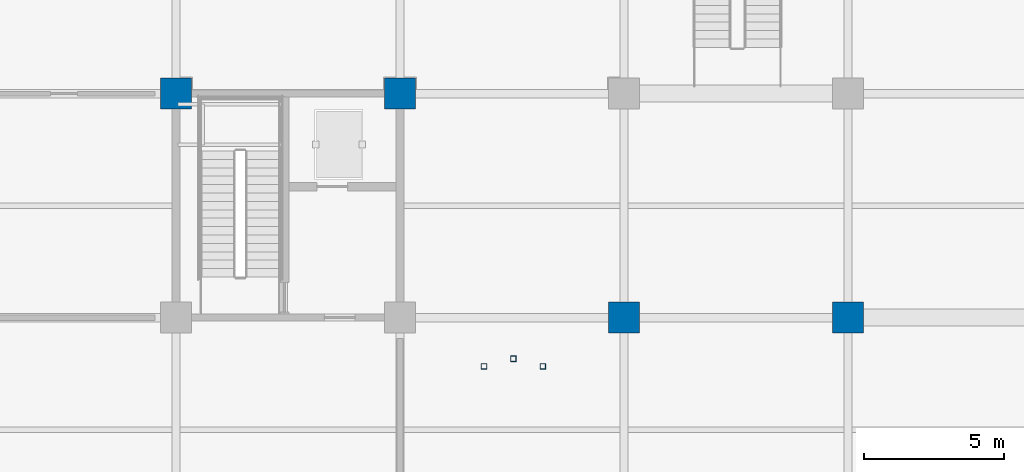
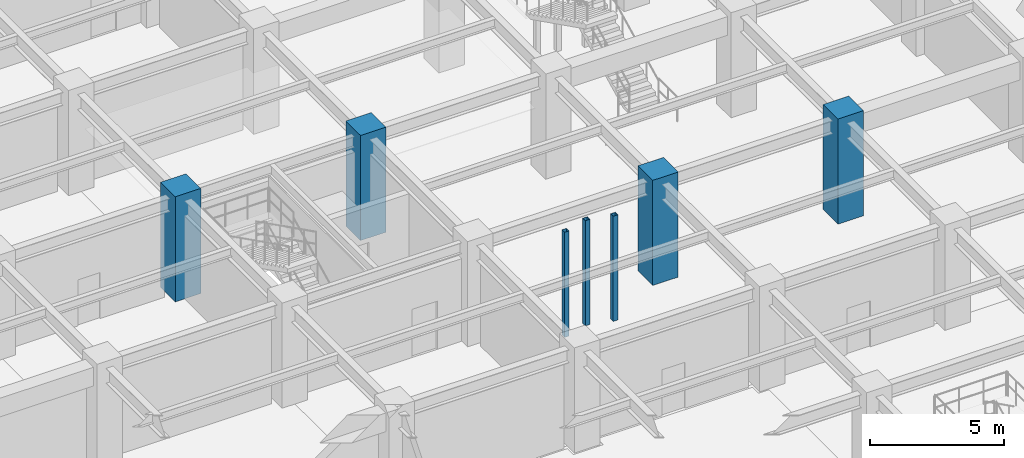
# One storey, part 8 of 125: 7 columns.
"""IFC4 building model written with IfcOpenShell, lengths in metres."""

from ifc_helpers import new_model, si_unit, direction, frame, origin, origin_2d, place, context, subcontext, project, spatial, rectangle, hollow_rectangle, extrude, material, material_profile, profile_set, type_object, element, save


model = new_model("IFC4")

# Units and contexts
model_context = context("Model", 3, precision=1e-05, world=origin(), true_north=direction((0.0, 1.0)))
body_context = subcontext(model_context, "Body", "Model", "MODEL_VIEW")
ifc_project = project(units=[si_unit("LENGTHUNIT", "METRE"), si_unit("AREAUNIT", "SQUARE_METRE"), si_unit("VOLUMEUNIT", "CUBIC_METRE"), si_unit("PLANEANGLEUNIT", "RADIAN"), si_unit("MASSUNIT", "GRAM", prefix="KILO")], contexts=[model_context])

# Site, building, storey
site_placement = place(None, origin())
site = spatial("IfcSite", under=ifc_project, at=site_placement, CompositionType="ELEMENT")
building_placement = place(site_placement, origin())
building = spatial("IfcBuilding", under=site, at=building_placement, Name="Haebicheon Civic Stadium", CompositionType="ELEMENT")
storey_placement = place(building_placement, origin())
storey = spatial("IfcBuildingStorey", under=building, at=storey_placement, Name="L01", CompositionType="ELEMENT", Elevation=0.0)

# Columns
ifc_material_1 = material(Name="Concrete C40/50", Category="concrete")
ifc_material_profile_1 = material_profile(ifc_material_1, rectangle(XDim=1.10009765625, YDim=1.10009765625, at=origin_2d()), Name="RC-COL-1100x1100")
ifc_profile_set_1 = profile_set([ifc_material_profile_1], Name="Concrete C40/50")
column_type_1 = type_object("IfcColumnType", Name="COL-RC-1100", PredefinedType="COLUMN", material=ifc_profile_set_1)
for number, where, z_axis, x_axis, name in (
    (1, (32.0, 112.0, 0.0), (0.0, 0.0, 1.0), (1.0, 0.0, 0.0), "L01 column 5/Q"),
    (2, (40.0, 112.0, 0.0), (0.0, 0.0, 1.0), (1.0, 0.0, 0.0), "L01 column 6/Q"),
    (3, (48.0, 104.0, 0.0), (0.0, 0.0, 1.0), (1.0, 0.0, 0.0), "L01 column 7/P"),
    (4, (56.0, 104.0, 0.0), (0.0, 0.0, 1.0), (1.0, 0.0, 0.0), "L01 column 8/P"),
):
    element("IfcColumn", number, at=place(storey_placement, frame(where, z_axis=z_axis, x_axis=x_axis)), inside=storey, type_object=column_type_1, material=ifc_profile_set_1, Name=name, PredefinedType="COLUMN", context=body_context, shape_type="SweptSolid", body=[
        extrude(rectangle(XDim=1.10009765625, YDim=1.10009765625, at=origin_2d()), origin(), (0.0, 0.0, 1.0), 4.800048828125),
    ])
ifc_material_2 = material(Name="Steel SM355 (S355)", Category="steel")
ifc_material_profile_2 = material_profile(ifc_material_2, hollow_rectangle(XDim=0.199951171875, YDim=0.199951171875, WallThickness=0.009033203125, at=origin_2d()), Name="RHS-200x200x9.0")
ifc_profile_set_2 = profile_set([ifc_material_profile_2], Name="Steel SM355 (S355)")
column_type_2 = type_object("IfcColumnType", Name="COL-ST-RHS200", PredefinedType="COLUMN", material=ifc_profile_set_2)
for number, where, z_axis, x_axis, name in (
    (5, (43.0, 102.260009765625, 0.0), (0.0, 0.0, 1.0), (1.0, 0.0, 0.0), "VM-05 L01 vomitory landing support post A"),
    (6, (45.10009765625, 102.260009765625, 0.0), (0.0, 0.0, 1.0), (1.0, 0.0, 0.0), "VM-05 L01 vomitory landing support post B"),
    (7, (44.050048828125, 102.530029296875, 0.0), (0.0, 0.0, 1.0), (1.0, 0.0, 0.0), "VM-05 L01 vomitory landing support post C"),
):
    element("IfcColumn", number, at=place(storey_placement, frame(where, z_axis=z_axis, x_axis=x_axis)), inside=storey, type_object=column_type_2, material=ifc_profile_set_2, Name=name, PredefinedType="COLUMN", context=body_context, shape_type="SweptSolid", body=[
        extrude(hollow_rectangle(XDim=0.199951171875, YDim=0.199951171875, WallThickness=0.009033203125, at=origin_2d()), origin(), (0.0, 0.0, 1.0), 4.800048828125),
    ])

save(model, "model.ifc")
